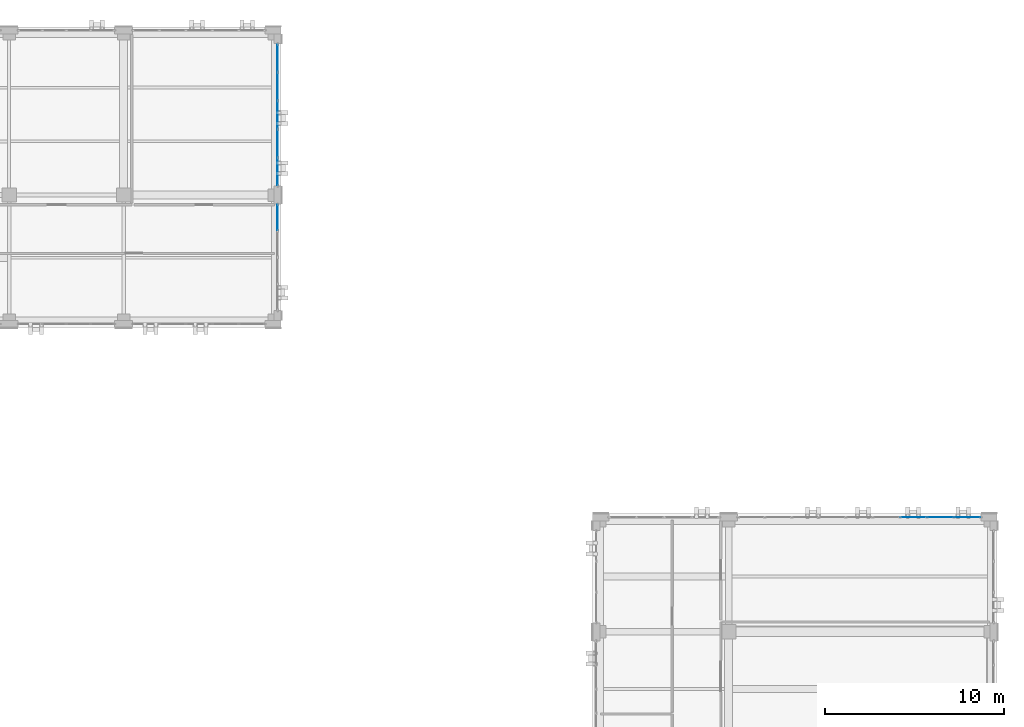
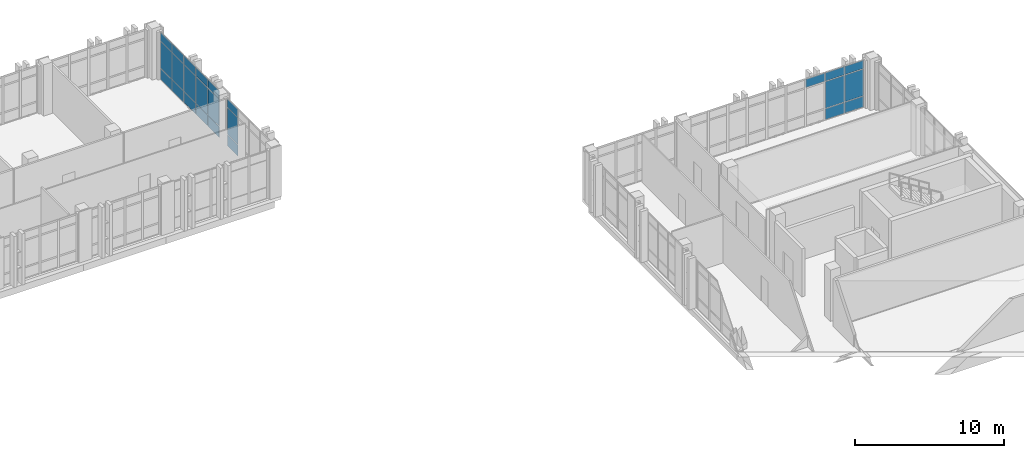
# One storey, part 127 of 158: 25 plates, 3 elements without a shape of their own.
"""IFC4 building model written with IfcOpenShell, lengths in metres."""

from ifc_helpers import new_model, si_unit, direction, frame, origin, origin_2d, place, context, subcontext, project, spatial, rectangle, extrude, material, layer, layer_set, type_object, element, aggregate, save


model = new_model("IFC4")

# Units and contexts
model_context = context("Model", 3, precision=1e-05, world=origin(), true_north=direction((0.0, 1.0)))
body_context = subcontext(model_context, "Body", "Model", "MODEL_VIEW")
ifc_project = project(units=[si_unit("LENGTHUNIT", "METRE"), si_unit("AREAUNIT", "SQUARE_METRE"), si_unit("VOLUMEUNIT", "CUBIC_METRE"), si_unit("PLANEANGLEUNIT", "RADIAN"), si_unit("MASSUNIT", "GRAM", prefix="KILO")], contexts=[model_context])

# Site, building, storey
site_placement = place(None, origin())
site = spatial("IfcSite", under=ifc_project, at=site_placement, CompositionType="ELEMENT")
building_placement = place(site_placement, origin())
building = spatial("IfcBuilding", under=site, at=building_placement, Name="Qalavern Law Courts", CompositionType="ELEMENT")
storey_placement = place(building_placement, frame((0.0, 0.0, 18.60009765625)))
storey = spatial("IfcBuildingStorey", under=building, at=storey_placement, Name="L04", CompositionType="ELEMENT", Elevation=18.60009765625)

# Curtain wall, plates
ifc_material_1 = material(Name="Anodised aluminium and insulated glazing", Category="aluminium")
ifc_layer_1 = layer(ifc_material_1, 0.159912109375)
ifc_layer_set_1 = layer_set([ifc_layer_1], Name="Anodised aluminium and insulated glazing")
curtain_wall_type_1 = type_object("IfcCurtainWallType", Name="ENV-CW-CHAMB", PredefinedType="USERDEFINED", material=ifc_layer_set_1)
curtain_wall_1_placement = place(storey_placement, origin())
curtain_wall_1 = element("IfcCurtainWall", 1, at=curtain_wall_1_placement, inside=storey, type_object=curtain_wall_type_1, Name="V4 unitised curtain wall L04 north 1", ObjectType="UNITISED CURTAIN WALL", PredefinedType="USERDEFINED")
ifc_material_2 = material(Name="Insulated low-E acoustic glazing", Category="glass")
ifc_layer_2 = layer(ifc_material_2, 0.02392578125)
ifc_layer_set_2 = layer_set([ifc_layer_2], Name="Insulated low-E acoustic glazing")
plate_type_1 = type_object("IfcPlateType", Name="ENV-CWP-24", PredefinedType="CURTAIN_PANEL", material=ifc_layer_set_2)
plate_1_placement = place(storey_placement, frame((105.13232421875, 85.60009765625, 0.0478515625), z_axis=(0.0, 0.0, 1.0), x_axis=(-1.0, 0.0, 0.0)))
plate_1 = element("IfcPlate", 2, at=plate_1_placement, type_object=plate_type_1, Name="CW-04 panel 1.1", PredefinedType="CURTAIN_PANEL", context=body_context, shape_type="SweptSolid", body=[
    extrude(rectangle(XDim=1.439208984375, YDim=0.02392578125, at=origin_2d()), origin(), (0.0, 0.0, 1.0), 0.8779296875),
])
plate_2_placement = place(storey_placement, frame((105.13232421875, 85.60009765625, 0.97412109375), z_axis=(0.0, 0.0, 1.0), x_axis=(-1.0, 0.0, 0.0)))
plate_2 = element("IfcPlate", 3, at=plate_2_placement, type_object=plate_type_1, Name="CW-04 panel 1.2", PredefinedType="CURTAIN_PANEL", context=body_context, shape_type="SweptSolid", body=[
    extrude(rectangle(XDim=1.439208984375, YDim=0.02392578125, at=origin_2d()), origin(), (0.0, 0.0, 1.0), 2.177001953125),
])
plate_3_placement = place(storey_placement, frame((105.13232421875, 85.60009765625, 3.19873046875), z_axis=(0.0, 0.0, 1.0), x_axis=(-1.0, 0.0, 0.0)))
plate_3 = element("IfcPlate", 4, at=plate_3_placement, type_object=plate_type_1, Name="CW-04 panel 1.3", PredefinedType="CURTAIN_PANEL", context=body_context, shape_type="SweptSolid", body=[
    extrude(rectangle(XDim=1.439208984375, YDim=0.02392578125, at=origin_2d()), origin(), (0.0, 0.0, 1.0), 0.677978515625),
])
plate_4_placement = place(storey_placement, frame((103.63330078125, 85.60009765625, 0.0478515625), z_axis=(0.0, 0.0, 1.0), x_axis=(-1.0, 0.0, 0.0)))
plate_4 = element("IfcPlate", 5, at=plate_4_placement, type_object=plate_type_1, Name="CW-04 panel 2.1", PredefinedType="CURTAIN_PANEL", context=body_context, shape_type="SweptSolid", body=[
    extrude(rectangle(XDim=1.463134765625, YDim=0.02392578125, at=origin_2d()), origin(), (0.0, 0.0, 1.0), 0.8779296875),
])
plate_5_placement = place(storey_placement, frame((103.63330078125, 85.60009765625, 0.97412109375), z_axis=(0.0, 0.0, 1.0), x_axis=(-1.0, 0.0, 0.0)))
plate_5 = element("IfcPlate", 6, at=plate_5_placement, type_object=plate_type_1, Name="CW-04 panel 2.2", PredefinedType="CURTAIN_PANEL", context=body_context, shape_type="SweptSolid", body=[
    extrude(rectangle(XDim=1.463134765625, YDim=0.02392578125, at=origin_2d()), origin(), (0.0, 0.0, 1.0), 2.177001953125),
])
plate_6_placement = place(storey_placement, frame((103.63330078125, 85.60009765625, 3.19873046875), z_axis=(0.0, 0.0, 1.0), x_axis=(-1.0, 0.0, 0.0)))
plate_6 = element("IfcPlate", 7, at=plate_6_placement, type_object=plate_type_1, Name="CW-04 panel 2.3", PredefinedType="CURTAIN_PANEL", context=body_context, shape_type="SweptSolid", body=[
    extrude(rectangle(XDim=1.463134765625, YDim=0.02392578125, at=origin_2d()), origin(), (0.0, 0.0, 1.0), 0.677978515625),
])
plate_7_placement = place(storey_placement, frame((102.122314453125, 85.60009765625, 3.19873046875), z_axis=(0.0, 0.0, 1.0), x_axis=(-1.0, 0.0, 0.0)))
plate_7 = element("IfcPlate", 8, at=plate_7_placement, type_object=plate_type_1, Name="CW-04 panel 3.3", PredefinedType="CURTAIN_PANEL", context=body_context, shape_type="SweptSolid", body=[
    extrude(rectangle(XDim=1.463134765625, YDim=0.02392578125, at=origin_2d()), origin(), (0.0, 0.0, 1.0), 0.677978515625),
])
aggregate(curtain_wall_1, [plate_1, plate_2, plate_3, plate_4, plate_5, plate_6, plate_7])

ifc_layer_3 = layer(ifc_material_1, 0.166015625)
ifc_layer_set_3 = layer_set([ifc_layer_3], Name="Anodised aluminium and insulated glazing")
curtain_wall_type_2 = type_object("IfcCurtainWallType", Name="ENV-CW-LIB", PredefinedType="USERDEFINED", material=ifc_layer_set_3)
curtain_wall_2_placement = place(storey_placement, origin())
curtain_wall_2 = element("IfcCurtainWall", 9, at=curtain_wall_2_placement, inside=storey, type_object=curtain_wall_type_2, Name="V5 unitised curtain wall L04 east 1", ObjectType="UNITISED CURTAIN WALL", PredefinedType="USERDEFINED")
plate_8_placement = place(storey_placement, frame((66.60009765625, 102.343505859375, 0.0478515625), z_axis=(0.0, 0.0, 1.0), x_axis=(0.0, 1.0, 0.0)))
plate_8 = element("IfcPlate", 10, at=plate_8_placement, type_object=plate_type_1, Name="CW-05 panel 4.1", PredefinedType="CURTAIN_PANEL", context=body_context, shape_type="SweptSolid", body=[
    extrude(rectangle(XDim=1.416748046875, YDim=0.02392578125, at=origin_2d()), origin(), (0.0, 0.0, 1.0), 0.8779296875),
])
plate_9_placement = place(storey_placement, frame((66.60009765625, 102.343505859375, 0.97412109375), z_axis=(0.0, 0.0, 1.0), x_axis=(0.0, 1.0, 0.0)))
plate_9 = element("IfcPlate", 11, at=plate_9_placement, type_object=plate_type_1, Name="CW-05 panel 4.2", PredefinedType="CURTAIN_PANEL", context=body_context, shape_type="SweptSolid", body=[
    extrude(rectangle(XDim=1.416748046875, YDim=0.02392578125, at=origin_2d()), origin(), (0.0, 0.0, 1.0), 2.177001953125),
])
plate_10_placement = place(storey_placement, frame((66.60009765625, 102.343505859375, 3.19873046875), z_axis=(0.0, 0.0, 1.0), x_axis=(0.0, 1.0, 0.0)))
plate_10 = element("IfcPlate", 12, at=plate_10_placement, type_object=plate_type_1, Name="CW-05 panel 4.3", PredefinedType="CURTAIN_PANEL", context=body_context, shape_type="SweptSolid", body=[
    extrude(rectangle(XDim=1.416748046875, YDim=0.02392578125, at=origin_2d()), origin(), (0.0, 0.0, 1.0), 0.677978515625),
])
aggregate(curtain_wall_2, [plate_8, plate_9, plate_10])

curtain_wall_3_placement = place(storey_placement, origin())
curtain_wall_3 = element("IfcCurtainWall", 13, at=curtain_wall_3_placement, inside=storey, type_object=curtain_wall_type_2, Name="V5 unitised curtain wall L04 east 2", ObjectType="UNITISED CURTAIN WALL", PredefinedType="USERDEFINED")
ifc_layer_4 = layer(ifc_material_2, 0.028076171875)
ifc_layer_set_4 = layer_set([ifc_layer_4], Name="Insulated low-E acoustic glazing")
plate_type_2 = type_object("IfcPlateType", Name="ENV-CWP-28", PredefinedType="CURTAIN_PANEL", material=ifc_layer_set_4)
plate_11_placement = place(storey_placement, frame((66.60009765625, 104.907470703125, 0.0478515625), z_axis=(0.0, 0.0, 1.0), x_axis=(0.0, 1.0, 0.0)))
plate_11 = element("IfcPlate", 14, at=plate_11_placement, type_object=plate_type_2, Name="CW-05 panel 1.1", PredefinedType="CURTAIN_PANEL", context=body_context, shape_type="SweptSolid", body=[
    extrude(rectangle(XDim=1.51904296875, YDim=0.028076171875, at=origin_2d()), origin(), (0.0, 0.0, 1.0), 0.8779296875),
])
plate_12_placement = place(storey_placement, frame((66.60009765625, 104.907470703125, 0.97412109375), z_axis=(0.0, 0.0, 1.0), x_axis=(0.0, 1.0, 0.0)))
plate_12 = element("IfcPlate", 15, at=plate_12_placement, type_object=plate_type_2, Name="CW-05 panel 1.2", PredefinedType="CURTAIN_PANEL", context=body_context, shape_type="SweptSolid", body=[
    extrude(rectangle(XDim=1.51904296875, YDim=0.028076171875, at=origin_2d()), origin(), (0.0, 0.0, 1.0), 2.177001953125),
])
plate_13_placement = place(storey_placement, frame((66.60009765625, 104.907470703125, 3.19873046875), z_axis=(0.0, 0.0, 1.0), x_axis=(0.0, 1.0, 0.0)))
plate_13 = element("IfcPlate", 16, at=plate_13_placement, type_object=plate_type_2, Name="CW-05 panel 1.3", PredefinedType="CURTAIN_PANEL", context=body_context, shape_type="SweptSolid", body=[
    extrude(rectangle(XDim=1.51904296875, YDim=0.028076171875, at=origin_2d()), origin(), (0.0, 0.0, 1.0), 0.677978515625),
])
plate_14_placement = place(storey_placement, frame((66.60009765625, 106.486572265625, 0.0478515625), z_axis=(0.0, 0.0, 1.0), x_axis=(0.0, 1.0, 0.0)))
plate_14 = element("IfcPlate", 17, at=plate_14_placement, type_object=plate_type_2, Name="CW-05 panel 2.1", PredefinedType="CURTAIN_PANEL", context=body_context, shape_type="SweptSolid", body=[
    extrude(rectangle(XDim=1.54296875, YDim=0.028076171875, at=origin_2d()), origin(), (0.0, 0.0, 1.0), 0.8779296875),
])
plate_15_placement = place(storey_placement, frame((66.60009765625, 106.486572265625, 0.97412109375), z_axis=(0.0, 0.0, 1.0), x_axis=(0.0, 1.0, 0.0)))
plate_15 = element("IfcPlate", 18, at=plate_15_placement, type_object=plate_type_2, Name="CW-05 panel 2.2", PredefinedType="CURTAIN_PANEL", context=body_context, shape_type="SweptSolid", body=[
    extrude(rectangle(XDim=1.54296875, YDim=0.028076171875, at=origin_2d()), origin(), (0.0, 0.0, 1.0), 2.177001953125),
])
plate_16_placement = place(storey_placement, frame((66.60009765625, 106.486572265625, 3.19873046875), z_axis=(0.0, 0.0, 1.0), x_axis=(0.0, 1.0, 0.0)))
plate_16 = element("IfcPlate", 19, at=plate_16_placement, type_object=plate_type_2, Name="CW-05 panel 2.3", PredefinedType="CURTAIN_PANEL", context=body_context, shape_type="SweptSolid", body=[
    extrude(rectangle(XDim=1.54296875, YDim=0.028076171875, at=origin_2d()), origin(), (0.0, 0.0, 1.0), 0.677978515625),
])
plate_17_placement = place(storey_placement, frame((66.60009765625, 108.077392578125, 0.0478515625), z_axis=(0.0, 0.0, 1.0), x_axis=(0.0, 1.0, 0.0)))
plate_17 = element("IfcPlate", 20, at=plate_17_placement, type_object=plate_type_2, Name="CW-05 panel 3.1", PredefinedType="CURTAIN_PANEL", context=body_context, shape_type="SweptSolid", body=[
    extrude(rectangle(XDim=1.54296875, YDim=0.028076171875, at=origin_2d()), origin(), (0.0, 0.0, 1.0), 0.8779296875),
])
plate_18_placement = place(storey_placement, frame((66.60009765625, 108.077392578125, 0.97412109375), z_axis=(0.0, 0.0, 1.0), x_axis=(0.0, 1.0, 0.0)))
plate_18 = element("IfcPlate", 21, at=plate_18_placement, type_object=plate_type_2, Name="CW-05 panel 3.2", PredefinedType="CURTAIN_PANEL", context=body_context, shape_type="SweptSolid", body=[
    extrude(rectangle(XDim=1.54296875, YDim=0.028076171875, at=origin_2d()), origin(), (0.0, 0.0, 1.0), 2.177001953125),
])
plate_19_placement = place(storey_placement, frame((66.60009765625, 108.077392578125, 3.19873046875), z_axis=(0.0, 0.0, 1.0), x_axis=(0.0, 1.0, 0.0)))
plate_19 = element("IfcPlate", 22, at=plate_19_placement, type_object=plate_type_2, Name="CW-05 panel 3.3", PredefinedType="CURTAIN_PANEL", context=body_context, shape_type="SweptSolid", body=[
    extrude(rectangle(XDim=1.54296875, YDim=0.028076171875, at=origin_2d()), origin(), (0.0, 0.0, 1.0), 0.677978515625),
])
plate_20_placement = place(storey_placement, frame((66.60009765625, 109.66845703125, 0.0478515625), z_axis=(0.0, 0.0, 1.0), x_axis=(0.0, 1.0, 0.0)))
plate_20 = element("IfcPlate", 23, at=plate_20_placement, type_object=plate_type_2, Name="CW-05 panel 4.1", PredefinedType="CURTAIN_PANEL", context=body_context, shape_type="SweptSolid", body=[
    extrude(rectangle(XDim=1.54296875, YDim=0.028076171875, at=origin_2d()), origin(), (0.0, 0.0, 1.0), 0.8779296875),
])
plate_21_placement = place(storey_placement, frame((66.60009765625, 109.66845703125, 0.97412109375), z_axis=(0.0, 0.0, 1.0), x_axis=(0.0, 1.0, 0.0)))
plate_21 = element("IfcPlate", 24, at=plate_21_placement, type_object=plate_type_2, Name="CW-05 panel 4.2", PredefinedType="CURTAIN_PANEL", context=body_context, shape_type="SweptSolid", body=[
    extrude(rectangle(XDim=1.54296875, YDim=0.028076171875, at=origin_2d()), origin(), (0.0, 0.0, 1.0), 2.177001953125),
])
plate_22_placement = place(storey_placement, frame((66.60009765625, 109.66845703125, 3.19873046875), z_axis=(0.0, 0.0, 1.0), x_axis=(0.0, 1.0, 0.0)))
plate_22 = element("IfcPlate", 25, at=plate_22_placement, type_object=plate_type_2, Name="CW-05 panel 4.3", PredefinedType="CURTAIN_PANEL", context=body_context, shape_type="SweptSolid", body=[
    extrude(rectangle(XDim=1.54296875, YDim=0.028076171875, at=origin_2d()), origin(), (0.0, 0.0, 1.0), 0.677978515625),
])
plate_23_placement = place(storey_placement, frame((66.60009765625, 111.24755859375, 0.0478515625), z_axis=(0.0, 0.0, 1.0), x_axis=(0.0, 1.0, 0.0)))
plate_23 = element("IfcPlate", 26, at=plate_23_placement, type_object=plate_type_2, Name="CW-05 panel 5.1", PredefinedType="CURTAIN_PANEL", context=body_context, shape_type="SweptSolid", body=[
    extrude(rectangle(XDim=1.51904296875, YDim=0.028076171875, at=origin_2d()), origin(), (0.0, 0.0, 1.0), 0.8779296875),
])
plate_24_placement = place(storey_placement, frame((66.60009765625, 111.24755859375, 0.97412109375), z_axis=(0.0, 0.0, 1.0), x_axis=(0.0, 1.0, 0.0)))
plate_24 = element("IfcPlate", 27, at=plate_24_placement, type_object=plate_type_2, Name="CW-05 panel 5.2", PredefinedType="CURTAIN_PANEL", context=body_context, shape_type="SweptSolid", body=[
    extrude(rectangle(XDim=1.51904296875, YDim=0.028076171875, at=origin_2d()), origin(), (0.0, 0.0, 1.0), 2.177001953125),
])
plate_25_placement = place(storey_placement, frame((66.60009765625, 111.24755859375, 3.19873046875), z_axis=(0.0, 0.0, 1.0), x_axis=(0.0, 1.0, 0.0)))
plate_25 = element("IfcPlate", 28, at=plate_25_placement, type_object=plate_type_2, Name="CW-05 panel 5.3", PredefinedType="CURTAIN_PANEL", context=body_context, shape_type="SweptSolid", body=[
    extrude(rectangle(XDim=1.51904296875, YDim=0.028076171875, at=origin_2d()), origin(), (0.0, 0.0, 1.0), 0.677978515625),
])
aggregate(curtain_wall_3, [plate_11, plate_12, plate_13, plate_14, plate_15, plate_16, plate_17, plate_18, plate_19, plate_20, plate_21, plate_22, plate_23, plate_24, plate_25])

save(model, "model.ifc")
